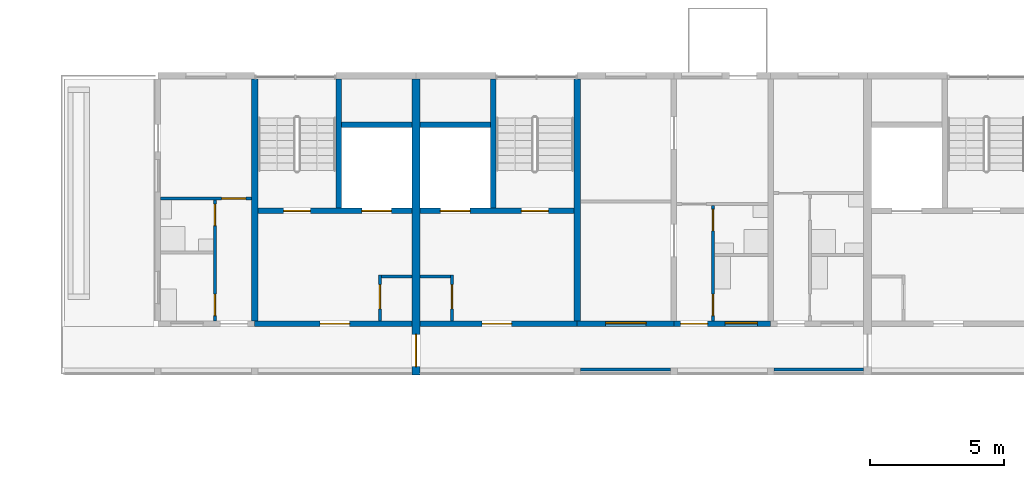
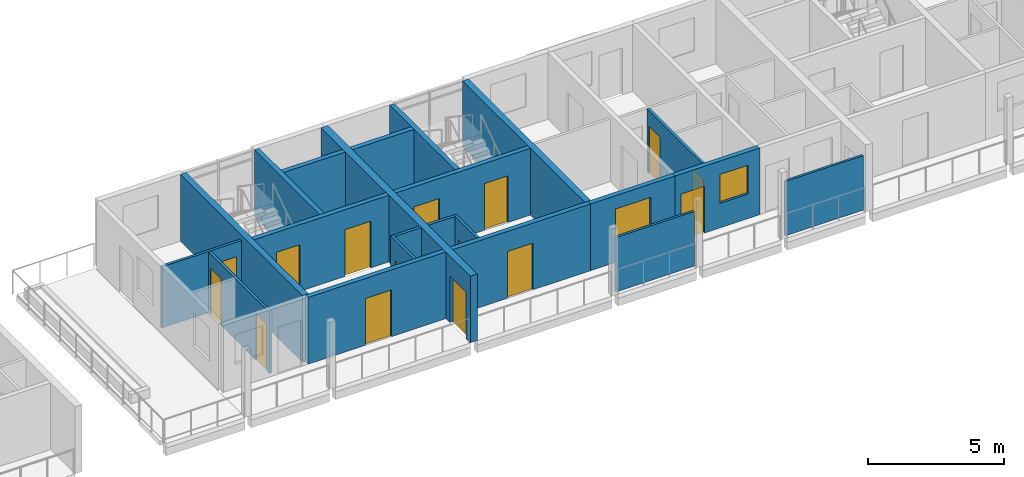
# One storey, part 51 of 94: 22 walls, 15 doors, 2 windows, 17 openings.
"""IFC4 building model written with IfcOpenShell, lengths in metres."""

from ifc_helpers import new_model, si_unit, direction, frame, frame_2d, origin, place, context, subcontext, project, spatial, rectangle, extrude, material, layer, layer_set, type_object, element, fill, save


model = new_model("IFC4")

# Units and contexts
model_context = context("Model", 3, precision=1e-05, world=origin(), true_north=direction((0.0, 1.0)))
body_context = subcontext(model_context, "Body", "Model", "MODEL_VIEW")
ifc_project = project(units=[si_unit("LENGTHUNIT", "METRE"), si_unit("AREAUNIT", "SQUARE_METRE"), si_unit("VOLUMEUNIT", "CUBIC_METRE"), si_unit("PLANEANGLEUNIT", "RADIAN"), si_unit("MASSUNIT", "GRAM", prefix="KILO")], contexts=[model_context])

# Site, building, storey
site_placement = place(None, origin())
site = spatial("IfcSite", under=ifc_project, at=site_placement, CompositionType="ELEMENT")
building_placement = place(site_placement, origin())
building = spatial("IfcBuilding", under=site, at=building_placement, Name="Ridgestep Commons", CompositionType="ELEMENT")
storey_placement = place(building_placement, frame((0.0, 0.0, 24.0)))
storey = spatial("IfcBuildingStorey", under=building, at=storey_placement, Name="L08", CompositionType="ELEMENT", Elevation=24.0)

# Walls
ifc_material_1 = material(Name="Concrete C30/37", Category="concrete")
ifc_layer_1 = layer(ifc_material_1, 0.25)
ifc_layer_set_1 = layer_set([ifc_layer_1], Name="Core cross wall 250")
wall_type_1 = type_object("IfcWallType", Name="Core cross wall 250", PredefinedType="SHEAR", material=ifc_layer_set_1)
for number, where, z_axis, x_axis, name in (
    (1, (174.39990234375, 68.0, 0.0), (0.0, 0.0, 1.0), (0.0, 1.0, 0.0), "Cross wall C-08-1744"),
    (2, (186.39990234375, 68.0, 0.0), (0.0, 0.0, 1.0), (0.0, 1.0, 0.0), "Cross wall C-08-1864"),
):
    element("IfcWall", number, at=place(storey_placement, frame(where, z_axis=z_axis, x_axis=x_axis)), inside=storey, type_object=wall_type_1, Name=name, PredefinedType="SHEAR", context=body_context, shape_type="SweptSolid", body=[
        extrude(rectangle(XDim=9.0, YDim=0.25, at=frame_2d((4.5, 0.0))), origin(), (0.0, 0.0, 1.0), 3.0),
    ])

# Wall, opening, door
ifc_material_2 = material(Name="Concrete C30/37", Category="concrete")
ifc_layer_2 = layer(ifc_material_2, 0.199951171875)
ifc_layer_set_2 = layer_set([ifc_layer_2], Name="Core south wall 200")
wall_type_2 = type_object("IfcWallType", Name="Core south wall 200", PredefinedType="SHEAR", material=ifc_layer_set_2)
wall_1_placement = place(storey_placement, frame((174.39990234375, 67.89990234375, 0.0), z_axis=(0.0, 0.0, 1.0), x_axis=(1.0, 0.0, 0.0)))
wall_1 = element("IfcWall", 3, at=wall_1_placement, inside=storey, type_object=wall_type_2, Name="Core south wall C2C L08", PredefinedType="SHEAR", context=body_context, shape_type="SweptSolid", body=[
    extrude(rectangle(XDim=5.85009765625, YDim=0.199951171875, at=frame_2d((2.925048828125, 0.0))), origin(), (0.0, 0.0, 1.0), 3.0),
])
opening_1_placement = place(wall_1_placement, frame((2.4375, 0.0, 0.0)))
opening_1 = element("IfcOpeningElement", 4, at=opening_1_placement, cuts=wall_1, Name="Opening C2C/08/1", PredefinedType="OPENING", context=body_context, shape_type="SweptSolid", body=[
    extrude(rectangle(XDim=1.10009765625, YDim=2.10009765625, at=frame_2d((0.550048828125, 1.050048828125))), frame((0.0, 0.10986328125, 0.0), z_axis=(0.0, -1.0, 0.0), x_axis=(1.0, 0.0, 0.0)), (0.0, 0.0, 1.0), 0.219970703125),
])
ifc_material_3 = material(Name="Steel fire door", Category="steel")
door_type_1 = type_object("IfcDoorType", Name="Lobby door 1100 x 2100 FD60", OperationType="NOTDEFINED", PredefinedType="DOOR", material=ifc_material_3)
door_1_placement = place(opening_1_placement, origin())
door_1 = element("IfcDoor", 5, at=door_1_placement, inside=storey, type_object=door_type_1, Name="Lobby door C2C/08/1", OperationType="SINGLE_SWING_LEFT", OverallHeight=2.10009765625, OverallWidth=1.10009765625, PredefinedType="DOOR", context=body_context, shape_type="SweptSolid", body=[
    extrude(rectangle(XDim=1.10009765625, YDim=2.10009765625, at=frame_2d((0.550048828125, 1.050048828125))), frame((0.0, 0.02490234375, 0.0), z_axis=(0.0, -1.0, 0.0), x_axis=(1.0, 0.0, 0.0)), (0.0, 0.0, 1.0), 0.050048828125),
])
fill(opening_1, door_1)

wall_2_placement = place(storey_placement, frame((180.550048828125, 67.89990234375, 0.0), z_axis=(0.0, 0.0, 1.0), x_axis=(1.0, 0.0, 0.0)))
wall_2 = element("IfcWall", 6, at=wall_2_placement, inside=storey, type_object=wall_type_2, Name="Core south wall C3C L08", PredefinedType="SHEAR", context=body_context, shape_type="SweptSolid", body=[
    extrude(rectangle(XDim=5.849853515625, YDim=0.199951171875, at=frame_2d((2.9248046875, 0.0))), origin(), (0.0, 0.0, 1.0), 3.0),
])
opening_2_placement = place(wall_2_placement, frame((2.3125, 0.0, 0.0)))
opening_2 = element("IfcOpeningElement", 7, at=opening_2_placement, cuts=wall_2, Name="Opening C3C/08/1", PredefinedType="OPENING", context=body_context, shape_type="SweptSolid", body=[
    extrude(rectangle(XDim=1.10009765625, YDim=2.10009765625, at=frame_2d((0.550048828125, 1.050048828125))), frame((0.0, 0.10986328125, 0.0), z_axis=(0.0, -1.0, 0.0), x_axis=(1.0, 0.0, 0.0)), (0.0, 0.0, 1.0), 0.219970703125),
])
door_2_placement = place(opening_2_placement, origin())
door_2 = element("IfcDoor", 8, at=door_2_placement, inside=storey, type_object=door_type_1, Name="Lobby door C3C/08/1", OperationType="SINGLE_SWING_LEFT", OverallHeight=2.10009765625, OverallWidth=1.10009765625, PredefinedType="DOOR", context=body_context, shape_type="SweptSolid", body=[
    extrude(rectangle(XDim=1.10009765625, YDim=2.10009765625, at=frame_2d((0.550048828125, 1.050048828125))), frame((0.0, 0.02490234375, 0.0), z_axis=(0.0, -1.0, 0.0), x_axis=(1.0, 0.0, 0.0)), (0.0, 0.0, 1.0), 0.050048828125),
])
fill(opening_2, door_2)

ifc_material_4 = material(Name="Concrete C30/37", Category="concrete")
ifc_layer_3 = layer(ifc_material_4, 0.1201171875)
ifc_layer_set_3 = layer_set([ifc_layer_3], Name="Core wall 120")
wall_type_3 = type_object("IfcWallType", Name="Core wall 120", PredefinedType="SHEAR", material=ifc_layer_set_3)
wall_3_placement = place(storey_placement, frame((179.06005859375, 68.0, 0.0), z_axis=(0.0, 0.0, 1.0), x_axis=(0.0, 1.0, 0.0)))
wall_3 = element("IfcWall", 9, at=wall_3_placement, inside=storey, type_object=wall_type_3, Name="Core riser w wall C2C L08", PredefinedType="SHEAR", context=body_context, shape_type="SweptSolid", body=[
    extrude(rectangle(XDim=1.719970703125, YDim=0.1201171875, at=frame_2d((0.85986328125, 0.0))), origin(), (0.0, 0.0, 1.0), 3.0),
])
opening_3_placement = place(wall_3_placement, frame((0.449951171875, 0.0, 0.0)))
opening_3 = element("IfcOpeningElement", 10, at=opening_3_placement, cuts=wall_3, Name="Opening C2C/08/4", PredefinedType="OPENING", context=body_context, shape_type="SweptSolid", body=[
    extrude(rectangle(XDim=0.89990234375, YDim=2.10009765625, at=frame_2d((0.449951171875, 1.050048828125))), frame((0.0, 0.070068359375, 0.0), z_axis=(0.0, -1.0, 0.0), x_axis=(1.0, 0.0, 0.0)), (0.0, 0.0, 1.0), 0.14013671875),
])
ifc_material_5 = material(Name="Steel fire door", Category="steel")
door_type_2 = type_object("IfcDoorType", Name="Riser door 900 x 2100 FD60", OperationType="NOTDEFINED", PredefinedType="DOOR", material=ifc_material_5)
door_3_placement = place(opening_3_placement, origin())
door_3 = element("IfcDoor", 11, at=door_3_placement, inside=storey, type_object=door_type_2, Name="Riser door C2C/08/4", OperationType="SINGLE_SWING_LEFT", OverallHeight=2.10009765625, OverallWidth=0.89990234375, PredefinedType="DOOR", context=body_context, shape_type="SweptSolid", body=[
    extrude(rectangle(XDim=0.89990234375, YDim=2.10009765625, at=frame_2d((0.449951171875, 1.050048828125))), frame((0.0, 0.02490234375, 0.0), z_axis=(0.0, -1.0, 0.0), x_axis=(1.0, 0.0, 0.0)), (0.0, 0.0, 1.0), 0.050048828125),
])
fill(opening_3, door_3)

# Wall
wall_4_placement = place(storey_placement, frame((179.1201171875, 69.659912109375, 0.0), z_axis=(0.0, 0.0, 1.0), x_axis=(1.0, 0.0, 0.0)))
element("IfcWall", 12, at=wall_4_placement, inside=storey, type_object=wall_type_3, Name="Core riser n wall C2C L08", PredefinedType="SHEAR", context=body_context, shape_type="SweptSolid", body=[
    extrude(rectangle(XDim=1.1298828125, YDim=0.1201171875, at=frame_2d((0.56494140625, 0.0))), origin(), (0.0, 0.0, 1.0), 3.0),
])

# Wall, opening, door
wall_5_placement = place(storey_placement, frame((181.739990234375, 68.0, 0.0), z_axis=(0.0, 0.0, 1.0), x_axis=(0.0, 1.0, 0.0)))
wall_5 = element("IfcWall", 13, at=wall_5_placement, inside=storey, type_object=wall_type_3, Name="Core riser w wall C3C L08", PredefinedType="SHEAR", context=body_context, shape_type="SweptSolid", body=[
    extrude(rectangle(XDim=1.719970703125, YDim=0.1201171875, at=frame_2d((0.85986328125, 0.0))), origin(), (0.0, 0.0, 1.0), 3.0),
])
opening_4_placement = place(wall_5_placement, frame((0.449951171875, 0.0, 0.0)))
opening_4 = element("IfcOpeningElement", 14, at=opening_4_placement, cuts=wall_5, Name="Opening C3C/08/4", PredefinedType="OPENING", context=body_context, shape_type="SweptSolid", body=[
    extrude(rectangle(XDim=0.89990234375, YDim=2.10009765625, at=frame_2d((0.449951171875, 1.050048828125))), frame((0.0, 0.070068359375, 0.0), z_axis=(0.0, -1.0, 0.0), x_axis=(1.0, 0.0, 0.0)), (0.0, 0.0, 1.0), 0.14013671875),
])
door_4_placement = place(opening_4_placement, origin())
door_4 = element("IfcDoor", 15, at=door_4_placement, inside=storey, type_object=door_type_2, Name="Riser door C3C/08/4", OperationType="SINGLE_SWING_RIGHT", OverallHeight=2.10009765625, OverallWidth=0.89990234375, PredefinedType="DOOR", context=body_context, shape_type="SweptSolid", body=[
    extrude(rectangle(XDim=0.89990234375, YDim=2.10009765625, at=frame_2d((0.449951171875, 1.050048828125))), frame((0.0, 0.02490234375, 0.0), z_axis=(0.0, -1.0, 0.0), x_axis=(1.0, 0.0, 0.0)), (0.0, 0.0, 1.0), 0.050048828125),
])
fill(opening_4, door_4)

# Wall
wall_6_placement = place(storey_placement, frame((180.550048828125, 69.659912109375, 0.0), z_axis=(0.0, 0.0, 1.0), x_axis=(1.0, 0.0, 0.0)))
element("IfcWall", 16, at=wall_6_placement, inside=storey, type_object=wall_type_3, Name="Core riser n wall C3C L08", PredefinedType="SHEAR", context=body_context, shape_type="SweptSolid", body=[
    extrude(rectangle(XDim=1.1298828125, YDim=0.1201171875, at=frame_2d((0.56494140625, 0.0))), origin(), (0.0, 0.0, 1.0), 3.0),
])

# Wall, openings, doors
ifc_material_6 = material(Name="Concrete C30/37", Category="concrete")
ifc_layer_4 = layer(ifc_material_6, 0.199951171875)
ifc_layer_set_4 = layer_set([ifc_layer_4], Name="Core wall 200")
wall_type_4 = type_object("IfcWallType", Name="Core wall 200", PredefinedType="SHEAR", material=ifc_layer_set_4)
wall_7_placement = place(storey_placement, frame((174.52490234375, 72.10009765625, 0.0), z_axis=(0.0, 0.0, 1.0), x_axis=(1.0, 0.0, 0.0)))
wall_7 = element("IfcWall", 17, at=wall_7_placement, inside=storey, type_object=wall_type_4, Name="Core lobby wall C2C L08", PredefinedType="SHEAR", context=body_context, shape_type="SweptSolid", body=[
    extrude(rectangle(XDim=5.72509765625, YDim=0.199951171875, at=frame_2d((2.862548828125, 0.0))), origin(), (0.0, 0.0, 1.0), 3.0),
])
opening_5_placement = place(wall_7_placement, frame((0.949951171875, 0.0, 0.0)))
opening_5 = element("IfcOpeningElement", 18, at=opening_5_placement, cuts=wall_7, Name="Opening C2C/08/2", PredefinedType="OPENING", context=body_context, shape_type="SweptSolid", body=[
    extrude(rectangle(XDim=1.0, YDim=2.10009765625, at=frame_2d((0.5, 1.050048828125))), frame((0.0, 0.10986328125, 0.0), z_axis=(0.0, -1.0, 0.0), x_axis=(1.0, 0.0, 0.0)), (0.0, 0.0, 1.0), 0.219970703125),
])
opening_6_placement = place(wall_7_placement, frame((3.862548828125, 0.0, 0.0)))
opening_6 = element("IfcOpeningElement", 19, at=opening_6_placement, cuts=wall_7, Name="Opening C2C/08/3", PredefinedType="OPENING", context=body_context, shape_type="SweptSolid", body=[
    extrude(rectangle(XDim=1.10009765625, YDim=2.10009765625, at=frame_2d((0.550048828125, 1.050048828125))), frame((0.0, 0.10986328125, 0.0), z_axis=(0.0, -1.0, 0.0), x_axis=(1.0, 0.0, 0.0)), (0.0, 0.0, 1.0), 0.219970703125),
])
ifc_material_7 = material(Name="Stainless steel", Category="steel")
door_type_3 = type_object("IfcDoorType", Name="Lift landing door 1100 x 2100 FD60", OperationType="DOUBLE_DOOR_SLIDING", PredefinedType="DOOR", material=ifc_material_7)
door_5_placement = place(opening_6_placement, origin())
door_5 = element("IfcDoor", 20, at=door_5_placement, inside=storey, type_object=door_type_3, Name="Landing door LD C2C L08", OperationType="DOUBLE_DOOR_SLIDING", OverallHeight=2.10009765625, OverallWidth=1.10009765625, PredefinedType="DOOR", context=body_context, shape_type="SweptSolid", body=[
    extrude(rectangle(XDim=1.10009765625, YDim=2.10009765625, at=frame_2d((0.550048828125, 1.050048828125))), frame((0.0, 0.02490234375, 0.0), z_axis=(0.0, -1.0, 0.0), x_axis=(1.0, 0.0, 0.0)), (0.0, 0.0, 1.0), 0.050048828125),
])
fill(opening_6, door_5)
ifc_material_8 = material(Name="Steel fire door", Category="steel")
door_type_4 = type_object("IfcDoorType", Name="Stair door 1000 x 2100 FD60", OperationType="NOTDEFINED", PredefinedType="DOOR", material=ifc_material_8)
door_6_placement = place(opening_5_placement, origin())
door_6 = element("IfcDoor", 21, at=door_6_placement, inside=storey, type_object=door_type_4, Name="Stair door C2C/08/2", OperationType="SINGLE_SWING_RIGHT", OverallHeight=2.10009765625, OverallWidth=1.0, PredefinedType="DOOR", context=body_context, shape_type="SweptSolid", body=[
    extrude(rectangle(XDim=1.0, YDim=2.10009765625, at=frame_2d((0.5, 1.050048828125))), frame((0.0, 0.02490234375, 0.0), z_axis=(0.0, -1.0, 0.0), x_axis=(1.0, 0.0, 0.0)), (0.0, 0.0, 1.0), 0.050048828125),
])
fill(opening_5, door_6)

# Walls
wall_8_placement = place(storey_placement, frame((177.52490234375, 72.199951171875, 0.0), z_axis=(0.0, 0.0, 1.0), x_axis=(0.0, 1.0, 0.0)))
element("IfcWall", 22, at=wall_8_placement, inside=storey, type_object=wall_type_4, Name="Core stair wall C2C L08", PredefinedType="SHEAR", context=body_context, shape_type="SweptSolid", body=[
    extrude(rectangle(XDim=4.800048828125, YDim=0.199951171875, at=frame_2d((2.39990234375, 0.0))), origin(), (0.0, 0.0, 1.0), 3.0),
])
wall_9_placement = place(storey_placement, frame((177.625, 75.300048828125, 0.0), z_axis=(0.0, 0.0, 1.0), x_axis=(1.0, 0.0, 0.0)))
element("IfcWall", 23, at=wall_9_placement, inside=storey, type_object=wall_type_4, Name="Core duct wall C2C L08", PredefinedType="SHEAR", context=body_context, shape_type="SweptSolid", body=[
    extrude(rectangle(XDim=2.625, YDim=0.199951171875, at=frame_2d((1.3125, 0.0))), origin(), (0.0, 0.0, 1.0), 3.0),
])

# Wall, openings, doors
wall_10_placement = place(storey_placement, frame((180.550048828125, 72.10009765625, 0.0), z_axis=(0.0, 0.0, 1.0), x_axis=(1.0, 0.0, 0.0)))
wall_10 = element("IfcWall", 24, at=wall_10_placement, inside=storey, type_object=wall_type_4, Name="Core lobby wall C3C L08", PredefinedType="SHEAR", context=body_context, shape_type="SweptSolid", body=[
    extrude(rectangle(XDim=5.724853515625, YDim=0.199951171875, at=frame_2d((2.8623046875, 0.0))), origin(), (0.0, 0.0, 1.0), 3.0),
])
opening_7_placement = place(wall_10_placement, frame((3.77490234375, 0.0, 0.0)))
opening_7 = element("IfcOpeningElement", 25, at=opening_7_placement, cuts=wall_10, Name="Opening C3C/08/2", PredefinedType="OPENING", context=body_context, shape_type="SweptSolid", body=[
    extrude(rectangle(XDim=1.0, YDim=2.10009765625, at=frame_2d((0.5, 1.050048828125))), frame((0.0, 0.10986328125, 0.0), z_axis=(0.0, -1.0, 0.0), x_axis=(1.0, 0.0, 0.0)), (0.0, 0.0, 1.0), 0.219970703125),
])
opening_8_placement = place(wall_10_placement, frame((0.762451171875, 0.0, 0.0)))
opening_8 = element("IfcOpeningElement", 26, at=opening_8_placement, cuts=wall_10, Name="Opening C3C/08/3", PredefinedType="OPENING", context=body_context, shape_type="SweptSolid", body=[
    extrude(rectangle(XDim=1.10009765625, YDim=2.10009765625, at=frame_2d((0.550048828125, 1.050048828125))), frame((0.0, 0.10986328125, 0.0), z_axis=(0.0, -1.0, 0.0), x_axis=(1.0, 0.0, 0.0)), (0.0, 0.0, 1.0), 0.219970703125),
])
door_7_placement = place(opening_8_placement, origin())
door_7 = element("IfcDoor", 27, at=door_7_placement, inside=storey, type_object=door_type_3, Name="Landing door LD C3C L08", OperationType="DOUBLE_DOOR_SLIDING", OverallHeight=2.10009765625, OverallWidth=1.10009765625, PredefinedType="DOOR", context=body_context, shape_type="SweptSolid", body=[
    extrude(rectangle(XDim=1.10009765625, YDim=2.10009765625, at=frame_2d((0.550048828125, 1.050048828125))), frame((0.0, 0.02490234375, 0.0), z_axis=(0.0, -1.0, 0.0), x_axis=(1.0, 0.0, 0.0)), (0.0, 0.0, 1.0), 0.050048828125),
])
fill(opening_8, door_7)
door_8_placement = place(opening_7_placement, origin())
door_8 = element("IfcDoor", 28, at=door_8_placement, inside=storey, type_object=door_type_4, Name="Stair door C3C/08/2", OperationType="SINGLE_SWING_RIGHT", OverallHeight=2.10009765625, OverallWidth=1.0, PredefinedType="DOOR", context=body_context, shape_type="SweptSolid", body=[
    extrude(rectangle(XDim=1.0, YDim=2.10009765625, at=frame_2d((0.5, 1.050048828125))), frame((0.0, 0.02490234375, 0.0), z_axis=(0.0, -1.0, 0.0), x_axis=(1.0, 0.0, 0.0)), (0.0, 0.0, 1.0), 0.050048828125),
])
fill(opening_7, door_8)

# Walls
wall_11_placement = place(storey_placement, frame((183.27490234375, 72.199951171875, 0.0), z_axis=(0.0, 0.0, 1.0), x_axis=(0.0, 1.0, 0.0)))
element("IfcWall", 29, at=wall_11_placement, inside=storey, type_object=wall_type_4, Name="Core stair wall C3C L08", PredefinedType="SHEAR", context=body_context, shape_type="SweptSolid", body=[
    extrude(rectangle(XDim=4.800048828125, YDim=0.199951171875, at=frame_2d((2.39990234375, 0.0))), origin(), (0.0, 0.0, 1.0), 3.0),
])
wall_12_placement = place(storey_placement, frame((180.550048828125, 75.300048828125, 0.0), z_axis=(0.0, 0.0, 1.0), x_axis=(1.0, 0.0, 0.0)))
element("IfcWall", 30, at=wall_12_placement, inside=storey, type_object=wall_type_4, Name="Core duct wall C3C L08", PredefinedType="SHEAR", context=body_context, shape_type="SweptSolid", body=[
    extrude(rectangle(XDim=2.625, YDim=0.199951171875, at=frame_2d((1.3125, 0.0))), origin(), (0.0, 0.0, 1.0), 3.0),
])

# Wall, opening, door
ifc_material_9 = material(Name="Precast concrete C40/50", Category="concrete")
ifc_layer_5 = layer(ifc_material_9, 0.300048828125)
ifc_layer_set_5 = layer_set([ifc_layer_5], Name="Division wall 300")
wall_type_5 = type_object("IfcWallType", Name="Division wall 300", PredefinedType="SHEAR", material=ifc_layer_set_5)
wall_13_placement = place(storey_placement, frame((180.39990234375, 66.0, 0.0), z_axis=(0.0, 0.0, 1.0), x_axis=(0.0, 1.0, 0.0)))
wall_13 = element("IfcWall", 31, at=wall_13_placement, inside=storey, type_object=wall_type_5, Name="Cross wall C-08-1804", PredefinedType="SHEAR", context=body_context, shape_type="SweptSolid", body=[
    extrude(rectangle(XDim=11.0, YDim=0.300048828125, at=frame_2d((5.5, 0.0))), origin(), (0.0, 0.0, 1.0), 3.0),
])
opening_9_placement = place(wall_13_placement, frame((0.300048828125, 0.0, 0.0)))
opening_9 = element("IfcOpeningElement", 32, at=opening_9_placement, cuts=wall_13, Name="Opening C/08/G1804", PredefinedType="OPENING", context=body_context, shape_type="SweptSolid", body=[
    extrude(rectangle(XDim=1.199951171875, YDim=2.10009765625, at=frame_2d((0.60009765625, 1.050048828125))), frame((0.0, 0.159912109375, 0.0), z_axis=(0.0, -1.0, 0.0), x_axis=(1.0, 0.0, 0.0)), (0.0, 0.0, 1.0), 0.320068359375),
])
ifc_material_10 = material(Name="Steel fire door", Category="steel")
door_type_5 = type_object("IfcDoorType", Name="Division fire door 1200 x 2100 EI 240", OperationType="DOUBLE_DOOR_SINGLE_SWING", PredefinedType="DOOR", material=ifc_material_10)
door_9_placement = place(opening_9_placement, origin())
door_9 = element("IfcDoor", 33, at=door_9_placement, inside=storey, type_object=door_type_5, Name="Division fire door C/08/G1804", OperationType="DOUBLE_DOOR_SINGLE_SWING", OverallHeight=2.10009765625, OverallWidth=1.199951171875, PredefinedType="DOOR", context=body_context, shape_type="SweptSolid", body=[
    extrude(rectangle(XDim=1.199951171875, YDim=2.10009765625, at=frame_2d((0.60009765625, 1.050048828125))), frame((0.0, 0.02490234375, 0.0), z_axis=(0.0, -1.0, 0.0), x_axis=(1.0, 0.0, 0.0)), (0.0, 0.0, 1.0), 0.050048828125),
])
fill(opening_9, door_9)

# Wall, openings, doors
ifc_material_11 = material(Name="Common brick 110 mm", Category="masonry")
ifc_layer_6 = layer(ifc_material_11, 0.110107421875)
ifc_layer_set_6 = layer_set([ifc_layer_6], Name="Partition 110")
wall_type_6 = type_object("IfcWallType", Name="Partition 110", PredefinedType="PARTITIONING", material=ifc_layer_set_6)
wall_14_placement = place(storey_placement, frame((172.919921875, 68.0, 0.0), z_axis=(0.0, 0.0, 1.0), x_axis=(0.0, 1.0, 0.0)))
wall_14 = element("IfcWall", 34, at=wall_14_placement, inside=storey, type_object=wall_type_6, Name="Partition C2-08a", PredefinedType="PARTITIONING", context=body_context, shape_type="SweptSolid", body=[
    extrude(rectangle(XDim=4.5, YDim=0.110107421875, at=frame_2d((2.25, 0.0))), origin(), (0.0, 0.0, 1.0), 2.75),
])
opening_10_placement = place(wall_14_placement, frame((0.199951171875, 0.0, 0.0)))
opening_10 = element("IfcOpeningElement", 35, at=opening_10_placement, cuts=wall_14, Name="Opening C2-08a/2", PredefinedType="OPENING", context=body_context, shape_type="SweptSolid", body=[
    extrude(rectangle(XDim=0.800048828125, YDim=2.10009765625, at=frame_2d((0.39990234375, 1.050048828125))), frame((0.0, 0.06494140625, 0.0), z_axis=(0.0, -1.0, 0.0), x_axis=(1.0, 0.0, 0.0)), (0.0, 0.0, 1.0), 0.130126953125),
])
opening_11_placement = place(wall_14_placement, frame((3.550048828125, 0.0, 0.0)))
opening_11 = element("IfcOpeningElement", 36, at=opening_11_placement, cuts=wall_14, Name="Opening C2-08a/3", PredefinedType="OPENING", context=body_context, shape_type="SweptSolid", body=[
    extrude(rectangle(XDim=0.800048828125, YDim=2.10009765625, at=frame_2d((0.39990234375, 1.050048828125))), frame((0.0, 0.06494140625, 0.0), z_axis=(0.0, -1.0, 0.0), x_axis=(1.0, 0.0, 0.0)), (0.0, 0.0, 1.0), 0.130126953125),
])
ifc_material_12 = material(Name="Timber door leaf", Category="wood")
door_type_6 = type_object("IfcDoorType", Name="Internal door 800 x 2100", OperationType="NOTDEFINED", PredefinedType="DOOR", material=ifc_material_12)
door_10_placement = place(opening_10_placement, origin())
door_10 = element("IfcDoor", 37, at=door_10_placement, inside=storey, type_object=door_type_6, Name="Internal door C2-08a/2", OperationType="SINGLE_SWING_LEFT", OverallHeight=2.10009765625, OverallWidth=0.800048828125, PredefinedType="DOOR", context=body_context, shape_type="SweptSolid", body=[
    extrude(rectangle(XDim=0.800048828125, YDim=2.10009765625, at=frame_2d((0.39990234375, 1.050048828125))), frame((0.0, 0.02490234375, 0.0), z_axis=(0.0, -1.0, 0.0), x_axis=(1.0, 0.0, 0.0)), (0.0, 0.0, 1.0), 0.050048828125),
])
fill(opening_10, door_10)
door_11_placement = place(opening_11_placement, origin())
door_11 = element("IfcDoor", 38, at=door_11_placement, inside=storey, type_object=door_type_6, Name="Internal door C2-08a/3", OperationType="SINGLE_SWING_RIGHT", OverallHeight=2.10009765625, OverallWidth=0.800048828125, PredefinedType="DOOR", context=body_context, shape_type="SweptSolid", body=[
    extrude(rectangle(XDim=0.800048828125, YDim=2.10009765625, at=frame_2d((0.39990234375, 1.050048828125))), frame((0.0, 0.02490234375, 0.0), z_axis=(0.0, -1.0, 0.0), x_axis=(1.0, 0.0, 0.0)), (0.0, 0.0, 1.0), 0.050048828125),
])
fill(opening_11, door_11)

# Wall, opening, door
wall_15_placement = place(storey_placement, frame((170.89990234375, 72.554931640625, 0.0), z_axis=(0.0, 0.0, 1.0), x_axis=(1.0, 0.0, 0.0)))
wall_15 = element("IfcWall", 39, at=wall_15_placement, inside=storey, type_object=wall_type_6, Name="Partition C2-08a", PredefinedType="PARTITIONING", context=body_context, shape_type="SweptSolid", body=[
    extrude(rectangle(XDim=3.375, YDim=0.110107421875, at=frame_2d((1.6875, 0.0))), origin(), (0.0, 0.0, 1.0), 2.75),
])
opening_12_placement = place(wall_15_placement, frame((2.27490234375, 0.0, 0.0)))
opening_12 = element("IfcOpeningElement", 40, at=opening_12_placement, cuts=wall_15, Name="Opening C2-08a/4", PredefinedType="OPENING", context=body_context, shape_type="SweptSolid", body=[
    extrude(rectangle(XDim=0.89990234375, YDim=2.10009765625, at=frame_2d((0.449951171875, 1.050048828125))), frame((0.0, 0.06494140625, 0.0), z_axis=(0.0, -1.0, 0.0), x_axis=(1.0, 0.0, 0.0)), (0.0, 0.0, 1.0), 0.130126953125),
])
ifc_material_13 = material(Name="Timber door leaf", Category="wood")
door_type_7 = type_object("IfcDoorType", Name="Internal door 900 x 2100", OperationType="NOTDEFINED", PredefinedType="DOOR", material=ifc_material_13)
door_12_placement = place(opening_12_placement, origin())
door_12 = element("IfcDoor", 41, at=door_12_placement, inside=storey, type_object=door_type_7, Name="Internal door C2-08a/4", OperationType="SINGLE_SWING_LEFT", OverallHeight=2.10009765625, OverallWidth=0.89990234375, PredefinedType="DOOR", context=body_context, shape_type="SweptSolid", body=[
    extrude(rectangle(XDim=0.89990234375, YDim=2.10009765625, at=frame_2d((0.449951171875, 1.050048828125))), frame((0.0, 0.02490234375, 0.0), z_axis=(0.0, -1.0, 0.0), x_axis=(1.0, 0.0, 0.0)), (0.0, 0.0, 1.0), 0.050048828125),
])
fill(opening_12, door_12)

# Wall, openings, doors
wall_16_placement = place(storey_placement, frame((191.455078125, 68.0, 0.0), z_axis=(0.0, 0.0, 1.0), x_axis=(0.0, 1.0, 0.0)))
wall_16 = element("IfcWall", 42, at=wall_16_placement, inside=storey, type_object=wall_type_6, Name="Partition C3-08b", PredefinedType="PARTITIONING", context=body_context, shape_type="SweptSolid", body=[
    extrude(rectangle(XDim=4.300048828125, YDim=0.110107421875, at=frame_2d((2.14990234375, 0.0))), origin(), (0.0, 0.0, 1.0), 2.800048828125),
])
opening_13_placement = place(wall_16_placement, frame((0.199951171875, 0.0, 0.0)))
opening_13 = element("IfcOpeningElement", 43, at=opening_13_placement, cuts=wall_16, Name="Opening C3-08b/2", PredefinedType="OPENING", context=body_context, shape_type="SweptSolid", body=[
    extrude(rectangle(XDim=0.800048828125, YDim=2.10009765625, at=frame_2d((0.39990234375, 1.050048828125))), frame((0.0, 0.06494140625, 0.0), z_axis=(0.0, -1.0, 0.0), x_axis=(1.0, 0.0, 0.0)), (0.0, 0.0, 1.0), 0.130126953125),
])
opening_14_placement = place(wall_16_placement, frame((3.35009765625, 0.0, 0.0)))
opening_14 = element("IfcOpeningElement", 44, at=opening_14_placement, cuts=wall_16, Name="Opening C3-08b/3", PredefinedType="OPENING", context=body_context, shape_type="SweptSolid", body=[
    extrude(rectangle(XDim=0.800048828125, YDim=2.10009765625, at=frame_2d((0.39990234375, 1.050048828125))), frame((0.0, 0.06494140625, 0.0), z_axis=(0.0, -1.0, 0.0), x_axis=(1.0, 0.0, 0.0)), (0.0, 0.0, 1.0), 0.130126953125),
])
door_13_placement = place(opening_13_placement, origin())
door_13 = element("IfcDoor", 45, at=door_13_placement, inside=storey, type_object=door_type_6, Name="Internal door C3-08b/2", OperationType="SINGLE_SWING_RIGHT", OverallHeight=2.10009765625, OverallWidth=0.800048828125, PredefinedType="DOOR", context=body_context, shape_type="SweptSolid", body=[
    extrude(rectangle(XDim=0.800048828125, YDim=2.10009765625, at=frame_2d((0.39990234375, 1.050048828125))), frame((0.0, 0.02490234375, 0.0), z_axis=(0.0, -1.0, 0.0), x_axis=(1.0, 0.0, 0.0)), (0.0, 0.0, 1.0), 0.050048828125),
])
fill(opening_13, door_13)
door_14_placement = place(opening_14_placement, origin())
door_14 = element("IfcDoor", 46, at=door_14_placement, inside=storey, type_object=door_type_6, Name="Internal door C3-08b/3", OperationType="SINGLE_SWING_LEFT", OverallHeight=2.10009765625, OverallWidth=0.800048828125, PredefinedType="DOOR", context=body_context, shape_type="SweptSolid", body=[
    extrude(rectangle(XDim=0.800048828125, YDim=2.10009765625, at=frame_2d((0.39990234375, 1.050048828125))), frame((0.0, 0.02490234375, 0.0), z_axis=(0.0, -1.0, 0.0), x_axis=(1.0, 0.0, 0.0)), (0.0, 0.0, 1.0), 0.050048828125),
])
fill(opening_14, door_14)

# Walls
ifc_material_14 = material(Name="Precast concrete C30/37", Category="concrete")
ifc_layer_7 = layer(ifc_material_14, 0.10009765625)
ifc_layer_set_7 = layer_set([ifc_layer_7], Name="Perforated gallery screen 3325 x 2450 x 100")
wall_type_7 = type_object("IfcWallType", Name="Perforated gallery screen 3325 x 2450 x 100", PredefinedType="SOLIDWALL", material=ifc_layer_set_7)
wall_17_placement = place(storey_placement, frame((193.72509765625, 66.199951171875, 0.0), z_axis=(0.0, 0.0, 1.0), x_axis=(1.0, 0.0, 0.0)))
element("IfcWall", 47, at=wall_17_placement, inside=storey, type_object=wall_type_7, Name="Gallery screen C3T1 08", PredefinedType="SOLIDWALL", context=body_context, shape_type="SweptSolid", body=[
    extrude(rectangle(XDim=3.324951171875, YDim=0.10009765625, at=frame_2d((1.66259765625, 0.0))), origin(), (0.0, 0.0, 1.0), 2.449951171875),
])
ifc_material_15 = material(Name="Precast concrete C30/37", Category="concrete")
ifc_layer_8 = layer(ifc_material_15, 0.10009765625)
ifc_layer_set_8 = layer_set([ifc_layer_8], Name="Perforated gallery screen 3350 x 2450 x 100")
wall_type_8 = type_object("IfcWallType", Name="Perforated gallery screen 3350 x 2450 x 100", PredefinedType="SOLIDWALL", material=ifc_layer_set_8)
wall_18_placement = place(storey_placement, frame((186.52490234375, 66.199951171875, 0.0), z_axis=(0.0, 0.0, 1.0), x_axis=(1.0, 0.0, 0.0)))
element("IfcWall", 48, at=wall_18_placement, inside=storey, type_object=wall_type_8, Name="Gallery screen C3T3 08", PredefinedType="SOLIDWALL", context=body_context, shape_type="SweptSolid", body=[
    extrude(rectangle(XDim=3.35009765625, YDim=0.10009765625, at=frame_2d((1.675048828125, 0.0))), origin(), (0.0, 0.0, 1.0), 2.449951171875),
])

# Wall, opening, window
ifc_material_16 = material(Name="Precast concrete C40/50", Category="concrete")
ifc_layer_9 = layer(ifc_material_16, 0.199951171875)
ifc_layer_set_9 = layer_set([ifc_layer_9], Name="South facade panel 200")
wall_type_9 = type_object("IfcWallType", Name="South facade panel 200", PredefinedType="SOLIDWALL", material=ifc_layer_set_9)
wall_19_placement = place(storey_placement, frame((186.39990234375, 67.89990234375, 0.0), z_axis=(0.0, 0.0, 1.0), x_axis=(1.0, 0.0, 0.0)))
wall_19 = element("IfcWall", 49, at=wall_19_placement, inside=storey, type_object=wall_type_9, Name="South panel C3T3 L08", PredefinedType="SOLIDWALL", context=body_context, shape_type="SweptSolid", body=[
    extrude(rectangle(XDim=3.60009765625, YDim=0.199951171875, at=frame_2d((1.800048828125, 0.0))), origin(), (0.0, 0.0, 1.0), 3.0),
])
opening_15_placement = place(wall_19_placement, frame((1.0625, 0.0, 0.89990234375)))
opening_15 = element("IfcOpeningElement", 50, at=opening_15_placement, cuts=wall_19, Name="Opening W16", PredefinedType="OPENING", context=body_context, shape_type="SweptSolid", body=[
    extrude(rectangle(XDim=1.5, YDim=1.5, at=frame_2d((0.75, 0.75))), frame((0.0, 0.10986328125, 0.0), z_axis=(0.0, -1.0, 0.0), x_axis=(1.0, 0.0, 0.0)), (0.0, 0.0, 1.0), 0.219970703125),
])
ifc_material_17 = material(Name="Aluminium 6063-T6 and glass", Category="aluminium")
window_type_1 = type_object("IfcWindowType", Name="Flat window 1500 x 1500", PartitioningType="DOUBLE_PANEL_VERTICAL", PredefinedType="WINDOW", material=ifc_material_17)
window_1_placement = place(opening_15_placement, origin())
window_1 = element("IfcWindow", 51, at=window_1_placement, inside=storey, type_object=window_type_1, Name="Window C3-08b 1", OverallHeight=1.5, OverallWidth=1.5, PartitioningType="SINGLE_PANEL", PredefinedType="WINDOW", context=body_context, shape_type="SweptSolid", body=[
    extrude(rectangle(XDim=1.5, YDim=1.5, at=frame_2d((0.75, 0.75))), frame((0.0, 0.06005859375, 0.0), z_axis=(0.0, -1.0, 0.0), x_axis=(1.0, 0.0, 0.0)), (0.0, 0.0, 1.0), 0.06005859375),
])
fill(opening_15, window_1)

# Wall, openings, door, window
wall_20_placement = place(storey_placement, frame((190.0, 67.89990234375, 0.0), z_axis=(0.0, 0.0, 1.0), x_axis=(1.0, 0.0, 0.0)))
wall_20 = element("IfcWall", 52, at=wall_20_placement, inside=storey, type_object=wall_type_9, Name="South panel C3T2 L08", PredefinedType="SOLIDWALL", context=body_context, shape_type="SweptSolid", body=[
    extrude(rectangle(XDim=3.60009765625, YDim=0.199951171875, at=frame_2d((1.800048828125, 0.0))), origin(), (0.0, 0.0, 1.0), 3.0),
])
opening_16_placement = place(wall_20_placement, frame((1.905029296875, 0.0, 1.10009765625)))
opening_16 = element("IfcOpeningElement", 53, at=opening_16_placement, cuts=wall_20, Name="Opening W08", PredefinedType="OPENING", context=body_context, shape_type="SweptSolid", body=[
    extrude(rectangle(XDim=1.199951171875, YDim=1.300048828125, at=frame_2d((0.60009765625, 0.64990234375))), frame((0.0, 0.10986328125, 0.0), z_axis=(0.0, -1.0, 0.0), x_axis=(1.0, 0.0, 0.0)), (0.0, 0.0, 1.0), 0.219970703125),
])
opening_17_placement = place(wall_20_placement, frame((0.25, 0.0, 0.0)))
opening_17 = element("IfcOpeningElement", 54, at=opening_17_placement, cuts=wall_20, Name="Opening C3-08b/1", PredefinedType="OPENING", context=body_context, shape_type="SweptSolid", body=[
    extrude(rectangle(XDim=1.0, YDim=2.10009765625, at=frame_2d((0.5, 1.050048828125))), frame((0.0, 0.10986328125, 0.0), z_axis=(0.0, -1.0, 0.0), x_axis=(1.0, 0.0, 0.0)), (0.0, 0.0, 1.0), 0.219970703125),
])
ifc_material_18 = material(Name="Timber door leaf", Category="wood")
door_type_8 = type_object("IfcDoorType", Name="Flat entrance door 1000 x 2100 FD30S", OperationType="NOTDEFINED", PredefinedType="DOOR", material=ifc_material_18)
door_15_placement = place(opening_17_placement, origin())
door_15 = element("IfcDoor", 55, at=door_15_placement, inside=storey, type_object=door_type_8, Name="Flat entrance door C3-08b/1", OperationType="SINGLE_SWING_LEFT", OverallHeight=2.10009765625, OverallWidth=1.0, PredefinedType="DOOR", context=body_context, shape_type="SweptSolid", body=[
    extrude(rectangle(XDim=1.0, YDim=2.10009765625, at=frame_2d((0.5, 1.050048828125))), frame((0.0, 0.02490234375, 0.0), z_axis=(0.0, -1.0, 0.0), x_axis=(1.0, 0.0, 0.0)), (0.0, 0.0, 1.0), 0.050048828125),
])
fill(opening_17, door_15)
ifc_material_19 = material(Name="Aluminium 6063-T6 and glass", Category="aluminium")
window_type_2 = type_object("IfcWindowType", Name="Flat window 1200 x 1300", PartitioningType="SINGLE_PANEL", PredefinedType="WINDOW", material=ifc_material_19)
window_2_placement = place(opening_16_placement, origin())
window_2 = element("IfcWindow", 56, at=window_2_placement, inside=storey, type_object=window_type_2, Name="Window C3-08b 3", OverallHeight=1.300048828125, OverallWidth=1.199951171875, PartitioningType="SINGLE_PANEL", PredefinedType="WINDOW", context=body_context, shape_type="SweptSolid", body=[
    extrude(rectangle(XDim=1.199951171875, YDim=1.300048828125, at=frame_2d((0.60009765625, 0.64990234375))), frame((0.0, 0.06005859375, 0.0), z_axis=(0.0, -1.0, 0.0), x_axis=(1.0, 0.0, 0.0)), (0.0, 0.0, 1.0), 0.06005859375),
])
fill(opening_16, window_2)

save(model, "model.ifc")
